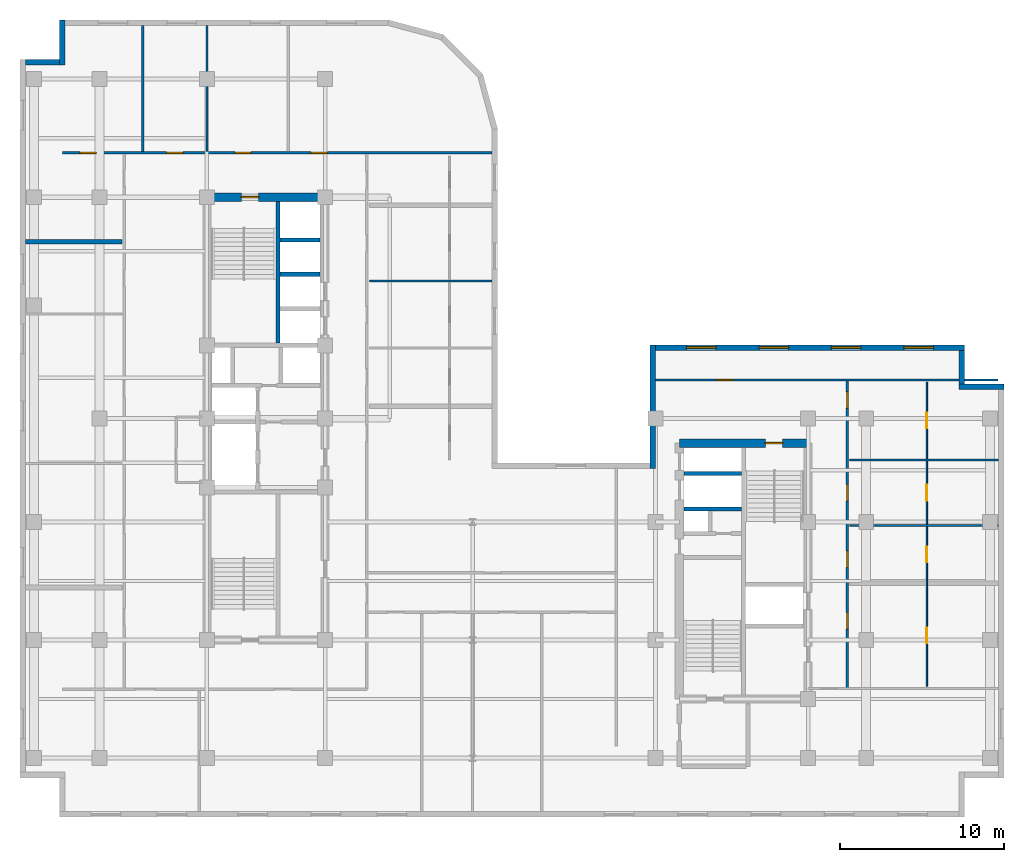
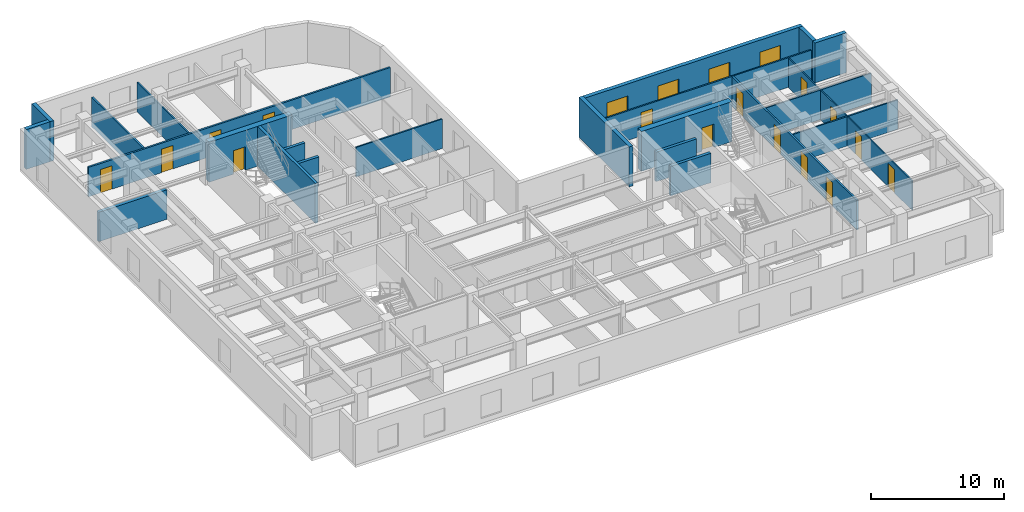
# One storey, part 7 of 11: 23 walls, 15 doors, 4 windows, 19 openings.
"""IFC4 building model written with IfcOpenShell, lengths in metres."""

import ifcopenshell
import ifcopenshell.guid

model = None  # the IFC model being written
_history = None  # IfcOwnerHistory: only IFC2X3 demands one
_inside = {}  # id of a spatial element -> (the spatial element, [elements in it])
_under = {}  # id of a project, library or spatial element -> (it, [spatial elements below it])
_declared = {}  # id of a project -> (the project, [libraries it declares])
_typed = {}  # id of a type object -> (the type object, [elements of that type])
_made_of = {}  # id of a material, layer set ... -> (it, [elements and type objects made of it])


def new_model(schema):
    """Start an empty IFC model of exactly this schema.

    Asked for "IFC4X3", IfcOpenShell would pick the latest addendum, in which some entities
    have other attributes; the version numbers below select the first issue.
    IFC2X3 requires an IfcOwnerHistory on every rooted entity: one is made here for all.
    """
    global model, _history
    if schema == "IFC4X3":
        model = ifcopenshell.file(schema_version=(4, 3, 0, 0))
    else:
        model = ifcopenshell.file(schema=schema)
    _inside.clear()
    _under.clear()
    _declared.clear()
    _typed.clear()
    _made_of.clear()
    _history = None
    if model.schema == "IFC2X3":
        org = make("IfcOrganization", Name="unknown")
        user = make(
            "IfcPersonAndOrganization",
            ThePerson=make("IfcPerson", FamilyName="unknown"),
            TheOrganization=org,
        )
        app = make(
            "IfcApplication",
            ApplicationDeveloper=org,
            Version="unknown",
            ApplicationFullName="unknown",
            ApplicationIdentifier="unknown",
        )
        _history = make(
            "IfcOwnerHistory",
            OwningUser=user,
            OwningApplication=app,
            ChangeAction="ADDED",
            CreationDate=0,
        )
    return model


def make(cls, **values):
    """One entity of the class cls with the attributes given. An attribute that is None is left unset."""
    return model.create_entity(
        cls, **{name: value for name, value in values.items() if value is not None}
    )


def entity(cls, *values):
    """Any entity or typed value of the class cls, its attributes in the order of the schema. None: left unset."""
    e = model.create_entity(cls)
    for i, value in enumerate(values):
        if value is not None:
            e[i] = value
    return e


def rooted(cls, **values):
    """An entity with a GlobalId (a new one), such as an element, a storey or a relation."""
    return make(cls, GlobalId=ifcopenshell.guid.new(), OwnerHistory=_history, **values)


def si_unit(unit_type, name, prefix=None):
    """IfcSIUnit, for example si_unit("LENGTHUNIT", "METRE", prefix="MILLI")."""
    return make("IfcSIUnit", UnitType=unit_type, Prefix=prefix, Name=name)


def converted_unit(unit_type, name, factor, base, dimensions=None, offset=None):
    """IfcConversionBasedUnit, such as the inch: factor (a typed value) times the base unit."""
    return make(
        "IfcConversionBasedUnit"
        if offset is None
        else "IfcConversionBasedUnitWithOffset",
        ConversionOffset=offset,
        Dimensions=None
        if dimensions is None
        else entity("IfcDimensionalExponents", *dimensions),
        UnitType=unit_type,
        Name=name,
        ConversionFactor=make(
            "IfcMeasureWithUnit", ValueComponent=factor, UnitComponent=base
        ),
    )


def assignment(units):
    """IfcUnitAssignment: the units of a project."""
    return None if units is None else make("IfcUnitAssignment", Units=units)


def point(xyz):
    """IfcCartesianPoint."""
    return None if xyz is None else make("IfcCartesianPoint", Coordinates=xyz)


def direction(xyz):
    """IfcDirection."""
    return None if xyz is None else make("IfcDirection", DirectionRatios=xyz)


def frame(location, z_axis=None, x_axis=None):
    """IfcAxis2Placement3D, a coordinate frame: its origin and axes. An axis left out is left unset."""
    return make(
        "IfcAxis2Placement3D",
        Location=point(location),
        Axis=direction(z_axis),
        RefDirection=direction(x_axis),
    )


def frame_2d(location, x_axis=None):
    """IfcAxis2Placement2D, a coordinate frame in the plane: its origin and x axis."""
    return make(
        "IfcAxis2Placement2D", Location=point(location), RefDirection=direction(x_axis)
    )


def origin_with_axes():
    """The frame at (0, 0, 0) with the z axis (0, 0, 1) and the x axis (1, 0, 0) written out."""
    return frame((0.0, 0.0, 0.0), z_axis=(0.0, 0.0, 1.0), x_axis=(1.0, 0.0, 0.0))


def origin_2d_with_axis():
    """The frame at (0, 0) in the plane with the x axis (1, 0) written out."""
    return frame_2d((0.0, 0.0), x_axis=(1.0, 0.0))


def place(relative_to, where):
    """IfcLocalPlacement: puts the frame where relative to a parent placement (None: the world)."""
    return make(
        "IfcLocalPlacement", PlacementRelTo=relative_to, RelativePlacement=where
    )


def context(
    kind, dimensions, precision=None, world=None, true_north=None, identifier=None
):
    """IfcGeometricRepresentationContext, for example the 3D "Model" context."""
    return make(
        "IfcGeometricRepresentationContext",
        ContextIdentifier=identifier,
        ContextType=kind,
        CoordinateSpaceDimension=dimensions,
        Precision=precision,
        WorldCoordinateSystem=world,
        TrueNorth=true_north,
    )


def subcontext(parent, identifier, kind, view, scale=None):
    """IfcGeometricRepresentationSubContext, for example "Body" below "Model"."""
    return make(
        "IfcGeometricRepresentationSubContext",
        ContextIdentifier=identifier,
        ContextType=kind,
        ParentContext=parent,
        TargetScale=scale,
        TargetView=view,
    )


def project(units=None, contexts=None):
    """IfcProject with its units and contexts."""
    return rooted(
        "IfcProject",
        Name="project",
        RepresentationContexts=contexts,
        UnitsInContext=assignment(units),
    )


def spatial(cls, under=None, at=None, **own):
    """A site, building, storey or space (cls), placed at a placement, below another one or the project."""
    s = rooted(cls, ObjectPlacement=at, **own)
    if under is not None:
        _under.setdefault(under.id(), (under, []))[1].append(s)
    return s


def polyline(points):
    """IfcPolyline through the points."""
    return make("IfcPolyline", Points=[point(p) for p in points])


def profile(cls, at=None, kind="AREA", **sizes):
    """A parametric profile (cls). Its sizes go by their IFC names, for example OverallWidth=200.0."""
    return make(cls, ProfileType=kind, Position=at, **sizes)


def rectangle(**sizes):
    """IfcRectangleProfileDef."""
    return profile("IfcRectangleProfileDef", **sizes)


def outline(outer, holes=None, kind="AREA"):
    """IfcArbitraryClosedProfileDef: a profile drawn as a closed curve; with holes, ...WithVoids."""
    if holes is None:
        return make("IfcArbitraryClosedProfileDef", ProfileType=kind, OuterCurve=outer)
    return make(
        "IfcArbitraryProfileDefWithVoids",
        ProfileType=kind,
        OuterCurve=outer,
        InnerCurves=holes,
    )


def extrude(swept, where, along, depth):
    """IfcExtrudedAreaSolid: the profile swept, set in the frame where, extruded along a direction by depth."""
    return make(
        "IfcExtrudedAreaSolid",
        SweptArea=swept,
        Position=where,
        ExtrudedDirection=direction(along),
        Depth=depth,
    )


def shape(context_of_items, identifier, shape_type, items):
    """IfcShapeRepresentation: the items that make up one representation, for example the "Body"."""
    return make(
        "IfcShapeRepresentation",
        ContextOfItems=context_of_items,
        RepresentationIdentifier=identifier,
        RepresentationType=shape_type,
        Items=items,
    )


def material(Name=None, Category=None):
    """IfcMaterial."""
    return make("IfcMaterial", Name=Name, Category=Category)


def layer(
    of_material, thickness, ventilated=None, Name=None, Category=None, Priority=None
):
    """IfcMaterialLayer: one layer of a wall or slab, of a material (None: an air gap)."""
    return make(
        "IfcMaterialLayer",
        Material=of_material,
        LayerThickness=thickness,
        IsVentilated=ventilated,
        Name=Name,
        Category=Category,
        Priority=Priority,
    )


def layer_set(layers, Name=None):
    """IfcMaterialLayerSet."""
    return make("IfcMaterialLayerSet", MaterialLayers=layers, LayerSetName=Name)


def made_of(thing, what):
    """Note that an element or type object is made of a material, layer set ...; save() writes the relation."""
    if what is not None:
        _made_of.setdefault(what.id(), (what, []))[1].append(thing)
    return thing


def type_object(cls, material=None, **own):
    """A type object (cls), such as IfcWallType, which elements share."""
    return made_of(rooted(cls, **own), material)


def element(
    cls,
    number,
    at=None,
    inside=None,
    cuts=None,
    type_object=None,
    material=None,
    context=None,
    identifier="Body",
    shape_type=None,
    held_by="IfcProductDefinitionShape",
    body=None,
    shapes=None,
    **own,
):
    """One element of the class cls, such as IfcWall. Its Tag is "e" and its number.

    at: its placement. inside: the storey or other place that contains it. cuts: it is an
    opening in that element (IfcRelVoidsElement). A single representation is given by context,
    identifier, shape_type and body (its items); several are given by shapes. held_by: the class
    of the entity that holds the representations. save() writes the other relations.
    """
    e = rooted(cls, Tag="e%d" % number, ObjectPlacement=at, **own)
    if body is not None:
        shapes = [shape(context, identifier, shape_type, body)]
    if shapes is not None:
        e.Representation = make(held_by, Representations=shapes)
    if inside is not None:
        _inside.setdefault(inside.id(), (inside, []))[1].append(e)
    if cuts is not None:
        rooted(
            "IfcRelVoidsElement", RelatingBuildingElement=cuts, RelatedOpeningElement=e
        )
    if type_object is not None:
        _typed.setdefault(type_object.id(), (type_object, []))[1].append(e)
    return made_of(e, material)


def fill(opening, filler):
    """IfcRelFillsElement: the door or window that sits in an opening."""
    return rooted(
        "IfcRelFillsElement",
        RelatingOpeningElement=opening,
        RelatedBuildingElement=filler,
    )


def aggregate(whole, parts):
    """IfcRelAggregates: a whole, such as a stair, and the parts it consists of."""
    return rooted("IfcRelAggregates", RelatingObject=whole, RelatedObjects=parts)


def save(model, path):
    """Write the relations noted so far, then the file.

    IfcRelAggregates (storeys below a building ...), IfcRelContainedInSpatialStructure (elements
    in a storey), IfcRelDefinesByType, IfcRelAssociatesMaterial and IfcRelDeclares: one each for
    every whole, place, type object, material and project.
    """
    for whole, parts in _under.values():
        aggregate(whole, parts)
    for where, things in _inside.values():
        rooted(
            "IfcRelContainedInSpatialStructure",
            RelatedElements=things,
            RelatingStructure=where,
        )
    for kind, things in _typed.values():
        rooted("IfcRelDefinesByType", RelatedObjects=things, RelatingType=kind)
    for what, things in _made_of.values():
        rooted("IfcRelAssociatesMaterial", RelatedObjects=things, RelatingMaterial=what)
    for by, libraries in _declared.values():
        rooted("IfcRelDeclares", RelatingContext=by, RelatedDefinitions=libraries)
    model.write(path)


model = new_model("IFC4")

# Units and contexts
model_context = context("Model", 3, precision=1e-05, world=origin_with_axes(), true_north=direction((0.0, 1.0)))
body_context = subcontext(model_context, "Body", "Model", "MODEL_VIEW")
ifc_project = project(units=[si_unit("LENGTHUNIT", "METRE"), si_unit("AREAUNIT", "SQUARE_METRE"), si_unit("VOLUMEUNIT", "CUBIC_METRE"), converted_unit("PLANEANGLEUNIT", "DEGREE", entity("IfcPlaneAngleMeasure", 0.017453292519943295), si_unit("PLANEANGLEUNIT", "RADIAN"), dimensions=[0, 0, 0, 0, 0, 0, 0]), si_unit("MASSUNIT", "GRAM", prefix="KILO"), si_unit("THERMODYNAMICTEMPERATUREUNIT", "KELVIN")], contexts=[model_context])

# Site, building, storey
site_placement = place(None, origin_with_axes())
site = spatial("IfcSite", under=ifc_project, at=site_placement, CompositionType="ELEMENT")
building_placement = place(site_placement, origin_with_axes())
building = spatial("IfcBuilding", under=site, at=building_placement, Name="Varnlund Millrace Tower", CompositionType="ELEMENT")
storey_placement = place(building_placement, frame((0.0, 0.0, 200.4), z_axis=(0.0, 0.0, 1.0), x_axis=(1.0, 0.0, 0.0)))
storey = spatial("IfcBuildingStorey", under=building, at=storey_placement, Name="L49", CompositionType="ELEMENT", Elevation=200.4)

# Wall, opening, door
ifc_material_1 = material(Name="Concrete C70/85", Category="concrete")
ifc_layer_1 = layer(ifc_material_1, 0.5, Name="Concrete C70/85")
ifc_layer_set_1 = layer_set([ifc_layer_1], Name="Concrete C70/85")
wall_type_1 = type_object("IfcWallType", Name="Type-CoreWall-Shear-500-C70", PredefinedType="SHEAR", material=ifc_layer_set_1)
wall_1_placement = place(storey_placement, frame((11.4, 37.8, 0.0), z_axis=(0.0, 0.0, 1.0), x_axis=(1.0, 0.0, 0.0)))
wall_1 = element("IfcWall", 1, at=wall_1_placement, inside=storey, type_object=wall_type_1, Name="Type-CoreWall-Shear-500-C70", PredefinedType="SHEAR", context=body_context, shape_type="SweptSolid", body=[
    extrude(outline(polyline([(0.0, -0.25), (7.2, -0.25), (7.2, 0.25), (0.0, 0.25), (0.0, -0.25)])), origin_with_axes(), (0.0, 0.0, 1.0), 3.66),
])
opening_1_placement = place(wall_1_placement, frame((2.625, 0.0, 0.0), z_axis=(0.0, 0.0, 1.0), x_axis=(1.0, 0.0, 0.0)))
opening_1 = element("IfcOpeningElement", 2, at=opening_1_placement, cuts=wall_1, Name="Opening L49:DR-STA2", PredefinedType="OPENING", context=body_context, shape_type="SweptSolid", body=[
    extrude(rectangle(XDim=1.05, YDim=0.52, at=origin_2d_with_axis()), origin_with_axes(), (0.0, 0.0, 1.0), 2.15),
])
ifc_material_2 = material(Name="Fire-rated hollow steel door", Category="steel")
door_type_1 = type_object("IfcDoorType", Name="Type-FireDoor-Stair-1050X2150", OperationType="NOTDEFINED", PredefinedType="DOOR", material=ifc_material_2)
door_1_placement = place(wall_1_placement, frame((2.625, 0.0, 0.0), z_axis=(0.0, 0.0, 1.0), x_axis=(1.0, 0.0, 0.0)))
door_1 = element("IfcDoor", 3, at=door_1_placement, inside=storey, type_object=door_type_1, Name="Type-FireDoor-Stair-1050X2150", OperationType="SINGLE_SWING_RIGHT", OverallHeight=2.15, OverallWidth=1.05, PredefinedType="DOOR", context=body_context, shape_type="SweptSolid", body=[
    extrude(rectangle(XDim=1.05, YDim=0.09, at=origin_2d_with_axis()), origin_with_axes(), (0.0, 0.0, 1.0), 2.15),
])
fill(opening_1, door_1)

wall_2_placement = place(storey_placement, frame((40.2, 22.8, 0.0), z_axis=(0.0, 0.0, 1.0), x_axis=(1.0, 0.0, 0.0)))
wall_2 = element("IfcWall", 4, at=wall_2_placement, inside=storey, type_object=wall_type_1, Name="Type-CoreWall-Shear-500-C70", PredefinedType="SHEAR", context=body_context, shape_type="SweptSolid", body=[
    extrude(outline(polyline([(0.0, -0.25), (7.85, -0.25), (7.85, 0.25), (0.0, 0.25), (0.0, -0.25)])), origin_with_axes(), (0.0, 0.0, 1.0), 3.66),
])
opening_2_placement = place(wall_2_placement, frame((5.775, 0.0, 0.0), z_axis=(0.0, 0.0, 1.0), x_axis=(1.0, 0.0, 0.0)))
opening_2 = element("IfcOpeningElement", 5, at=opening_2_placement, cuts=wall_2, Name="Opening L49:DR-STB2", PredefinedType="OPENING", context=body_context, shape_type="SweptSolid", body=[
    extrude(rectangle(XDim=1.05, YDim=0.52, at=origin_2d_with_axis()), origin_with_axes(), (0.0, 0.0, 1.0), 2.15),
])
door_2_placement = place(wall_2_placement, frame((5.775, 0.0, 0.0), z_axis=(0.0, 0.0, 1.0), x_axis=(1.0, 0.0, 0.0)))
door_2 = element("IfcDoor", 6, at=door_2_placement, inside=storey, type_object=door_type_1, Name="Type-FireDoor-Stair-1050X2150", OperationType="SINGLE_SWING_RIGHT", OverallHeight=2.15, OverallWidth=1.05, PredefinedType="DOOR", context=body_context, shape_type="SweptSolid", body=[
    extrude(rectangle(XDim=1.05, YDim=0.09, at=origin_2d_with_axis()), origin_with_axes(), (0.0, 0.0, 1.0), 2.15),
])
fill(opening_2, door_2)

# Wall
ifc_material_3 = material(Name="Precast concrete C50/60", Category="concrete")
ifc_layer_2 = layer(ifc_material_3, 0.34, Name="Precast concrete C50/60")
ifc_layer_set_2 = layer_set([ifc_layer_2], Name="Precast concrete C50/60")
wall_type_2 = type_object("IfcWallType", Name="Type-ExtWall-Precast-Upper-340", PredefinedType="SOLIDWALL", material=ifc_layer_set_2)
wall_3_placement = place(storey_placement, frame((38.57, 21.26, 0.0), z_axis=(0.0, 0.0, 1.0), x_axis=(0.0, 1.0, 0.0)))
element("IfcWall", 7, at=wall_3_placement, inside=storey, type_object=wall_type_2, Name="Type-ExtWall-Precast-Upper-340", PredefinedType="SOLIDWALL", context=body_context, shape_type="SweptSolid", body=[
    extrude(outline(polyline([(0.0, -0.17), (7.54, -0.17), (7.54, 0.17), (0.0, 0.17), (0.0, -0.17)])), origin_with_axes(), (0.0, 0.0, 1.0), 3.66),
])

# Wall, openings, windows
wall_4_placement = place(storey_placement, frame((38.74, 28.63, 0.0), z_axis=(0.0, 0.0, 1.0), x_axis=(1.0, 0.0, 0.0)))
wall_4 = element("IfcWall", 8, at=wall_4_placement, inside=storey, type_object=wall_type_2, Name="Type-ExtWall-Precast-Upper-340", PredefinedType="SOLIDWALL", context=body_context, shape_type="SweptSolid", body=[
    extrude(outline(polyline([(0.0, -0.17), (18.86, -0.17), (18.86, 0.17), (0.0, 0.17), (0.0, -0.17)])), origin_with_axes(), (0.0, 0.0, 1.0), 3.66),
])
opening_3_placement = place(wall_4_placement, frame((2.808, 0.0, 0.45), z_axis=(0.0, 0.0, 1.0), x_axis=(1.0, 0.0, 0.0)))
opening_3 = element("IfcOpeningElement", 9, at=opening_3_placement, cuts=wall_4, Name="Opening L49:WN-01", PredefinedType="OPENING", context=body_context, shape_type="SweptSolid", body=[
    extrude(rectangle(XDim=1.8, YDim=0.36, at=origin_2d_with_axis()), origin_with_axes(), (0.0, 0.0, 1.0), 2.1),
])
opening_4_placement = place(wall_4_placement, frame((7.222, 0.0, 0.45), z_axis=(0.0, 0.0, 1.0), x_axis=(1.0, 0.0, 0.0)))
opening_4 = element("IfcOpeningElement", 10, at=opening_4_placement, cuts=wall_4, Name="Opening L49:WN-02", PredefinedType="OPENING", context=body_context, shape_type="SweptSolid", body=[
    extrude(rectangle(XDim=1.8, YDim=0.36, at=origin_2d_with_axis()), origin_with_axes(), (0.0, 0.0, 1.0), 2.1),
])
opening_5_placement = place(wall_4_placement, frame((11.637, 0.0, 0.45), z_axis=(0.0, 0.0, 1.0), x_axis=(1.0, 0.0, 0.0)))
opening_5 = element("IfcOpeningElement", 11, at=opening_5_placement, cuts=wall_4, Name="Opening L49:WN-03", PredefinedType="OPENING", context=body_context, shape_type="SweptSolid", body=[
    extrude(rectangle(XDim=1.8, YDim=0.36, at=origin_2d_with_axis()), origin_with_axes(), (0.0, 0.0, 1.0), 2.1),
])
opening_6_placement = place(wall_4_placement, frame((16.053, 0.0, 0.45), z_axis=(0.0, 0.0, 1.0), x_axis=(1.0, 0.0, 0.0)))
opening_6 = element("IfcOpeningElement", 12, at=opening_6_placement, cuts=wall_4, Name="Opening L49:WN-04", PredefinedType="OPENING", context=body_context, shape_type="SweptSolid", body=[
    extrude(rectangle(XDim=1.8, YDim=0.36, at=origin_2d_with_axis()), origin_with_axes(), (0.0, 0.0, 1.0), 2.1),
])
ifc_material_4 = material(Name="Argon low-e triple glazing in thermally broken bronze frame", Category="glass")
window_type = type_object("IfcWindowType", Name="Type-Window-Punched-1800X2100", PartitioningType="SINGLE_PANEL", PredefinedType="WINDOW", material=ifc_material_4)
window_1_placement = place(wall_4_placement, frame((2.808, 0.0, 0.45), z_axis=(0.0, 0.0, 1.0), x_axis=(1.0, 0.0, 0.0)))
window_1 = element("IfcWindow", 13, at=window_1_placement, inside=storey, type_object=window_type, Name="Type-Window-Punched-1800X2100", OverallHeight=2.1, OverallWidth=1.8, PredefinedType="WINDOW", context=body_context, shape_type="SweptSolid", body=[
    extrude(rectangle(XDim=1.8, YDim=0.09, at=origin_2d_with_axis()), origin_with_axes(), (0.0, 0.0, 1.0), 2.1),
])
fill(opening_3, window_1)
window_2_placement = place(wall_4_placement, frame((7.222, 0.0, 0.45), z_axis=(0.0, 0.0, 1.0), x_axis=(1.0, 0.0, 0.0)))
window_2 = element("IfcWindow", 14, at=window_2_placement, inside=storey, type_object=window_type, Name="Type-Window-Punched-1800X2100", OverallHeight=2.1, OverallWidth=1.8, PredefinedType="WINDOW", context=body_context, shape_type="SweptSolid", body=[
    extrude(rectangle(XDim=1.8, YDim=0.09, at=origin_2d_with_axis()), origin_with_axes(), (0.0, 0.0, 1.0), 2.1),
])
fill(opening_4, window_2)
window_3_placement = place(wall_4_placement, frame((11.637, 0.0, 0.45), z_axis=(0.0, 0.0, 1.0), x_axis=(1.0, 0.0, 0.0)))
window_3 = element("IfcWindow", 15, at=window_3_placement, inside=storey, type_object=window_type, Name="Type-Window-Punched-1800X2100", OverallHeight=2.1, OverallWidth=1.8, PredefinedType="WINDOW", context=body_context, shape_type="SweptSolid", body=[
    extrude(rectangle(XDim=1.8, YDim=0.09, at=origin_2d_with_axis()), origin_with_axes(), (0.0, 0.0, 1.0), 2.1),
])
fill(opening_5, window_3)
window_4_placement = place(wall_4_placement, frame((16.053, 0.0, 0.45), z_axis=(0.0, 0.0, 1.0), x_axis=(1.0, 0.0, 0.0)))
window_4 = element("IfcWindow", 16, at=window_4_placement, inside=storey, type_object=window_type, Name="Type-Window-Punched-1800X2100", OverallHeight=2.1, OverallWidth=1.8, PredefinedType="WINDOW", context=body_context, shape_type="SweptSolid", body=[
    extrude(rectangle(XDim=1.8, YDim=0.09, at=origin_2d_with_axis()), origin_with_axes(), (0.0, 0.0, 1.0), 2.1),
])
fill(opening_6, window_4)

# Walls
wall_5_placement = place(storey_placement, frame((57.43, 28.46, 0.0), z_axis=(0.0, 0.0, 1.0), x_axis=(0.0, -1.0, 0.0)))
element("IfcWall", 17, at=wall_5_placement, inside=storey, type_object=wall_type_2, Name="Type-ExtWall-Precast-Upper-340", PredefinedType="SOLIDWALL", context=body_context, shape_type="SweptSolid", body=[
    extrude(outline(polyline([(0.0, -0.17), (2.06, -0.17), (2.06, 0.17), (0.0, 0.17), (0.0, -0.17)])), origin_with_axes(), (0.0, 0.0, 1.0), 3.66),
])
wall_6_placement = place(storey_placement, frame((57.26, 26.23, 0.0), z_axis=(0.0, 0.0, 1.0), x_axis=(1.0, 0.0, 0.0)))
element("IfcWall", 18, at=wall_6_placement, inside=storey, type_object=wall_type_2, Name="Type-ExtWall-Precast-Upper-340", PredefinedType="SOLIDWALL", context=body_context, shape_type="SweptSolid", body=[
    extrude(outline(polyline([(0.0, -0.17), (2.74, -0.17), (2.74, 0.17), (0.0, 0.17), (0.0, -0.17)])), origin_with_axes(), (0.0, 0.0, 1.0), 3.66),
])
wall_7_placement = place(storey_placement, frame((0.34, 46.03, 0.0), z_axis=(0.0, 0.0, 1.0), x_axis=(1.0, 0.0, 0.0)))
element("IfcWall", 19, at=wall_7_placement, inside=storey, type_object=wall_type_2, Name="Type-ExtWall-Precast-Upper-340", PredefinedType="SOLIDWALL", context=body_context, shape_type="SweptSolid", body=[
    extrude(outline(polyline([(0.0, -0.17), (2.06, -0.17), (2.06, 0.17), (0.0, 0.17), (0.0, -0.17)])), origin_with_axes(), (0.0, 0.0, 1.0), 3.66),
])
wall_8_placement = place(storey_placement, frame((2.57, 45.86, 0.0), z_axis=(0.0, 0.0, 1.0), x_axis=(0.0, 1.0, 0.0)))
element("IfcWall", 20, at=wall_8_placement, inside=storey, type_object=wall_type_2, Name="Type-ExtWall-Precast-Upper-340", PredefinedType="SOLIDWALL", context=body_context, shape_type="SweptSolid", body=[
    extrude(outline(polyline([(0.0, -0.17), (2.74, -0.17), (2.74, 0.17), (0.0, 0.17), (0.0, -0.17)])), origin_with_axes(), (0.0, 0.0, 1.0), 3.66),
])
ifc_material_5 = material(Name="Double-stud STC-60 conference acoustic partition", Category="gypsum")
ifc_layer_3 = layer(ifc_material_5, 0.28, Name="Double-stud STC-60 conference acoustic partition")
ifc_layer_set_3 = layer_set([ifc_layer_3], Name="Double-stud STC-60 conference acoustic partition")
wall_type_3 = type_object("IfcWallType", Name="Type-Partition-Acoustic-280", PredefinedType="PARTITIONING", material=ifc_layer_set_3)
wall_9_placement = place(storey_placement, frame((0.335, 35.084, 0.0), z_axis=(0.0, 0.0, 1.0), x_axis=(1.0, 0.0, 0.0)))
element("IfcWall", 21, at=wall_9_placement, inside=storey, type_object=wall_type_3, Name="Type-Partition-Acoustic-280", PredefinedType="PARTITIONING", context=body_context, shape_type="SweptSolid", body=[
    extrude(outline(polyline([(0.0, -0.14), (5.895, -0.14), (5.895, 0.14), (0.0, 0.14), (0.0, -0.14)])), origin_with_axes(), (0.0, 0.0, 1.0), 2.7),
])

# Wall, openings, doors
ifc_material_6 = material(Name="Fire-rated gypsum board on cold-formed steel framing", Category="steel")
ifc_layer_4 = layer(ifc_material_6, 0.16, Name="Fire-rated gypsum board on cold-formed steel framing")
ifc_layer_set_4 = layer_set([ifc_layer_4], Name="Fire-rated gypsum board on cold-formed steel framing")
wall_type_4 = type_object("IfcWallType", Name="Type-Partition-Corridor-160", PredefinedType="PARTITIONING", material=ifc_layer_set_4)
wall_10_placement = place(storey_placement, frame((2.6, 40.5, 0.0), z_axis=(0.0, 0.0, 1.0), x_axis=(1.0, 0.0, 0.0)))
wall_10 = element("IfcWall", 22, at=wall_10_placement, inside=storey, type_object=wall_type_4, Name="Type-Partition-Corridor-160", PredefinedType="PARTITIONING", context=body_context, shape_type="SweptSolid", body=[
    extrude(outline(polyline([(0.0, -0.08), (26.177, -0.08), (26.177, 0.08), (0.0, 0.08), (0.0, -0.08)])), origin_with_axes(), (0.0, 0.0, 1.0), 2.7),
])
opening_7_placement = place(wall_10_placement, frame((1.554, 0.0, 0.0), z_axis=(0.0, 0.0, 1.0), x_axis=(1.0, 0.0, 0.0)))
opening_7 = element("IfcOpeningElement", 23, at=opening_7_placement, cuts=wall_10, Name="Opening L49:DR-WAN-01", PredefinedType="OPENING", context=body_context, shape_type="SweptSolid", body=[
    extrude(rectangle(XDim=1.0, YDim=0.18, at=origin_2d_with_axis()), origin_with_axes(), (0.0, 0.0, 1.0), 2.15),
])
opening_8_placement = place(wall_10_placement, frame((6.8395, 0.0, 0.0), z_axis=(0.0, 0.0, 1.0), x_axis=(1.0, 0.0, 0.0)))
opening_8 = element("IfcOpeningElement", 24, at=opening_8_placement, cuts=wall_10, Name="Opening L49:DR-WAN-02", PredefinedType="OPENING", context=body_context, shape_type="SweptSolid", body=[
    extrude(rectangle(XDim=1.0, YDim=0.18, at=origin_2d_with_axis()), origin_with_axes(), (0.0, 0.0, 1.0), 2.15),
])
opening_9_placement = place(wall_10_placement, frame((10.996, 0.0, 0.0), z_axis=(0.0, 0.0, 1.0), x_axis=(1.0, 0.0, 0.0)))
opening_9 = element("IfcOpeningElement", 25, at=opening_9_placement, cuts=wall_10, Name="Opening L49:DR-WAN-03", PredefinedType="OPENING", context=body_context, shape_type="SweptSolid", body=[
    extrude(rectangle(XDim=1.0, YDim=0.18, at=origin_2d_with_axis()), origin_with_axes(), (0.0, 0.0, 1.0), 2.15),
])
opening_10_placement = place(wall_10_placement, frame((15.636, 0.0, 0.0), z_axis=(0.0, 0.0, 1.0), x_axis=(1.0, 0.0, 0.0)))
opening_10 = element("IfcOpeningElement", 26, at=opening_10_placement, cuts=wall_10, Name="Opening L49:DR-WAN-04", PredefinedType="OPENING", context=body_context, shape_type="SweptSolid", body=[
    extrude(rectangle(XDim=1.0, YDim=0.18, at=origin_2d_with_axis()), origin_with_axes(), (0.0, 0.0, 1.0), 2.15),
])
ifc_material_7 = material(Name="Solid-core white oak and bronze frame door")
door_type_2 = type_object("IfcDoorType", Name="Type-IntDoor-Office-1000X2150", OperationType="NOTDEFINED", PredefinedType="DOOR", material=ifc_material_7)
door_3_placement = place(wall_10_placement, frame((1.554, 0.0, 0.0), z_axis=(0.0, 0.0, 1.0), x_axis=(1.0, 0.0, 0.0)))
door_3 = element("IfcDoor", 27, at=door_3_placement, inside=storey, type_object=door_type_2, Name="Type-IntDoor-Office-1000X2150", OperationType="SINGLE_SWING_LEFT", OverallHeight=2.15, OverallWidth=1.0, PredefinedType="DOOR", context=body_context, shape_type="SweptSolid", body=[
    extrude(rectangle(XDim=1.0, YDim=0.09, at=origin_2d_with_axis()), origin_with_axes(), (0.0, 0.0, 1.0), 2.15),
])
fill(opening_7, door_3)
door_4_placement = place(wall_10_placement, frame((6.8395, 0.0, 0.0), z_axis=(0.0, 0.0, 1.0), x_axis=(1.0, 0.0, 0.0)))
door_4 = element("IfcDoor", 28, at=door_4_placement, inside=storey, type_object=door_type_2, Name="Type-IntDoor-Office-1000X2150", OperationType="SINGLE_SWING_RIGHT", OverallHeight=2.15, OverallWidth=1.0, PredefinedType="DOOR", context=body_context, shape_type="SweptSolid", body=[
    extrude(rectangle(XDim=1.0, YDim=0.09, at=origin_2d_with_axis()), origin_with_axes(), (0.0, 0.0, 1.0), 2.15),
])
fill(opening_8, door_4)
door_5_placement = place(wall_10_placement, frame((10.996, 0.0, 0.0), z_axis=(0.0, 0.0, 1.0), x_axis=(1.0, 0.0, 0.0)))
door_5 = element("IfcDoor", 29, at=door_5_placement, inside=storey, type_object=door_type_2, Name="Type-IntDoor-Office-1000X2150", OperationType="SINGLE_SWING_LEFT", OverallHeight=2.15, OverallWidth=1.0, PredefinedType="DOOR", context=body_context, shape_type="SweptSolid", body=[
    extrude(rectangle(XDim=1.0, YDim=0.09, at=origin_2d_with_axis()), origin_with_axes(), (0.0, 0.0, 1.0), 2.15),
])
fill(opening_9, door_5)
door_6_placement = place(wall_10_placement, frame((15.636, 0.0, 0.0), z_axis=(0.0, 0.0, 1.0), x_axis=(1.0, 0.0, 0.0)))
door_6 = element("IfcDoor", 30, at=door_6_placement, inside=storey, type_object=door_type_2, Name="Type-IntDoor-Office-1000X2150", OperationType="SINGLE_SWING_RIGHT", OverallHeight=2.15, OverallWidth=1.0, PredefinedType="DOOR", context=body_context, shape_type="SweptSolid", body=[
    extrude(rectangle(XDim=1.0, YDim=0.09, at=origin_2d_with_axis()), origin_with_axes(), (0.0, 0.0, 1.0), 2.15),
])
fill(opening_10, door_6)

wall_11_placement = place(storey_placement, frame((50.45, 7.85, 0.0), z_axis=(0.0, 0.0, 1.0), x_axis=(0.0, 1.0, 0.0)))
wall_11 = element("IfcWall", 31, at=wall_11_placement, inside=storey, type_object=wall_type_4, Name="Type-Partition-Corridor-160", PredefinedType="PARTITIONING", context=body_context, shape_type="SweptSolid", body=[
    extrude(outline(polyline([(0.0, -0.08), (18.8, -0.08), (18.8, 0.08), (0.0, 0.08), (0.0, -0.08)])), origin_with_axes(), (0.0, 0.0, 1.0), 2.7),
])
opening_11_placement = place(wall_11_placement, frame((4.113, 0.0, 0.0), z_axis=(0.0, 0.0, 1.0), x_axis=(1.0, 0.0, 0.0)))
opening_11 = element("IfcOpeningElement", 32, at=opening_11_placement, cuts=wall_11, Name="Opening L49:DR-WB-01", PredefinedType="OPENING", context=body_context, shape_type="SweptSolid", body=[
    extrude(rectangle(XDim=1.0, YDim=0.18, at=origin_2d_with_axis()), origin_with_axes(), (0.0, 0.0, 1.0), 2.15),
])
opening_12_placement = place(wall_11_placement, frame((7.883, 0.0, 0.0), z_axis=(0.0, 0.0, 1.0), x_axis=(1.0, 0.0, 0.0)))
opening_12 = element("IfcOpeningElement", 33, at=opening_12_placement, cuts=wall_11, Name="Opening L49:DR-WB-02", PredefinedType="OPENING", context=body_context, shape_type="SweptSolid", body=[
    extrude(rectangle(XDim=1.0, YDim=0.18, at=origin_2d_with_axis()), origin_with_axes(), (0.0, 0.0, 1.0), 2.15),
])
opening_13_placement = place(wall_11_placement, frame((11.9275, 0.0, 0.0), z_axis=(0.0, 0.0, 1.0), x_axis=(1.0, 0.0, 0.0)))
opening_13 = element("IfcOpeningElement", 34, at=opening_13_placement, cuts=wall_11, Name="Opening L49:DR-WB-03", PredefinedType="OPENING", context=body_context, shape_type="SweptSolid", body=[
    extrude(rectangle(XDim=1.0, YDim=0.18, at=origin_2d_with_axis()), origin_with_axes(), (0.0, 0.0, 1.0), 2.15),
])
opening_14_placement = place(wall_11_placement, frame((17.587, 0.0, 0.0), z_axis=(0.0, 0.0, 1.0), x_axis=(1.0, 0.0, 0.0)))
opening_14 = element("IfcOpeningElement", 35, at=opening_14_placement, cuts=wall_11, Name="Opening L49:DR-WB-04", PredefinedType="OPENING", context=body_context, shape_type="SweptSolid", body=[
    extrude(rectangle(XDim=1.0, YDim=0.18, at=origin_2d_with_axis()), origin_with_axes(), (0.0, 0.0, 1.0), 2.15),
])
door_7_placement = place(wall_11_placement, frame((4.113, 0.0, 0.0), z_axis=(0.0, 0.0, 1.0), x_axis=(1.0, 0.0, 0.0)))
door_7 = element("IfcDoor", 36, at=door_7_placement, inside=storey, type_object=door_type_2, Name="Type-IntDoor-Office-1000X2150", OperationType="SINGLE_SWING_LEFT", OverallHeight=2.15, OverallWidth=1.0, PredefinedType="DOOR", context=body_context, shape_type="SweptSolid", body=[
    extrude(rectangle(XDim=1.0, YDim=0.09, at=origin_2d_with_axis()), origin_with_axes(), (0.0, 0.0, 1.0), 2.15),
])
fill(opening_11, door_7)
door_8_placement = place(wall_11_placement, frame((7.883, 0.0, 0.0), z_axis=(0.0, 0.0, 1.0), x_axis=(1.0, 0.0, 0.0)))
door_8 = element("IfcDoor", 37, at=door_8_placement, inside=storey, type_object=door_type_2, Name="Type-IntDoor-Office-1000X2150", OperationType="SINGLE_SWING_RIGHT", OverallHeight=2.15, OverallWidth=1.0, PredefinedType="DOOR", context=body_context, shape_type="SweptSolid", body=[
    extrude(rectangle(XDim=1.0, YDim=0.09, at=origin_2d_with_axis()), origin_with_axes(), (0.0, 0.0, 1.0), 2.15),
])
fill(opening_12, door_8)
door_9_placement = place(wall_11_placement, frame((11.9275, 0.0, 0.0), z_axis=(0.0, 0.0, 1.0), x_axis=(1.0, 0.0, 0.0)))
door_9 = element("IfcDoor", 38, at=door_9_placement, inside=storey, type_object=door_type_2, Name="Type-IntDoor-Office-1000X2150", OperationType="SINGLE_SWING_LEFT", OverallHeight=2.15, OverallWidth=1.0, PredefinedType="DOOR", context=body_context, shape_type="SweptSolid", body=[
    extrude(rectangle(XDim=1.0, YDim=0.09, at=origin_2d_with_axis()), origin_with_axes(), (0.0, 0.0, 1.0), 2.15),
])
fill(opening_13, door_9)
door_10_placement = place(wall_11_placement, frame((17.587, 0.0, 0.0), z_axis=(0.0, 0.0, 1.0), x_axis=(1.0, 0.0, 0.0)))
door_10 = element("IfcDoor", 39, at=door_10_placement, inside=storey, type_object=door_type_2, Name="Type-IntDoor-Office-1000X2150", OperationType="SINGLE_SWING_RIGHT", OverallHeight=2.15, OverallWidth=1.0, PredefinedType="DOOR", context=body_context, shape_type="SweptSolid", body=[
    extrude(rectangle(XDim=1.0, YDim=0.09, at=origin_2d_with_axis()), origin_with_axes(), (0.0, 0.0, 1.0), 2.15),
])
fill(opening_14, door_10)

# Wall
ifc_material_8 = material(Name="Acoustic STC-50 gypsum board partition", Category="gypsum")
ifc_layer_5 = layer(ifc_material_8, 0.15, Name="Acoustic STC-50 gypsum board partition")
ifc_layer_set_5 = layer_set([ifc_layer_5], Name="Acoustic STC-50 gypsum board partition")
wall_type_5 = type_object("IfcWallType", Name="Type-Partition-Demising-150", PredefinedType="PARTITIONING", material=ifc_layer_set_5)
wall_12_placement = place(storey_placement, frame((7.479, 40.6, 0.0), z_axis=(0.0, 0.0, 1.0), x_axis=(0.0, 1.0, 0.0)))
element("IfcWall", 40, at=wall_12_placement, inside=storey, type_object=wall_type_5, Name="Type-Partition-Demising-150", PredefinedType="PARTITIONING", context=body_context, shape_type="SweptSolid", body=[
    extrude(outline(polyline([(0.0, -0.075), (7.665, -0.075), (7.665, 0.075), (0.0, 0.075), (0.0, -0.075)])), origin_with_axes(), (0.0, 0.0, 1.0), 2.7),
])

# Wall, openings, doors
ifc_material_9 = material(Name="Architectural bronze and acoustic glass office front", Category="glass")
ifc_layer_6 = layer(ifc_material_9, 0.1, Name="Architectural bronze and acoustic glass office front")
ifc_layer_set_6 = layer_set([ifc_layer_6], Name="Architectural bronze and acoustic glass office front")
wall_type_6 = type_object("IfcWallType", Name="Type-Partition-Glazed-100", PredefinedType="PARTITIONING", material=ifc_layer_set_6)
wall_13_placement = place(storey_placement, frame((55.3, 7.98, 0.0), z_axis=(0.0, 0.0, 1.0), x_axis=(0.0, 1.0, 0.0)))
wall_13 = element("IfcWall", 41, at=wall_13_placement, inside=storey, type_object=wall_type_6, Name="Type-Partition-Glazed-100", PredefinedType="PARTITIONING", context=body_context, shape_type="SweptSolid", body=[
    extrude(outline(polyline([(0.0, -0.05), (18.54, -0.05), (18.54, 0.05), (0.0, 0.05), (0.0, -0.05)])), origin_with_axes(), (0.0, 0.0, 1.0), 2.7),
])
opening_15_placement = place(wall_13_placement, frame((3.1025, 0.0, 0.0), z_axis=(0.0, 0.0, 1.0), x_axis=(1.0, 0.0, 0.0)))
opening_15 = element("IfcOpeningElement", 42, at=opening_15_placement, cuts=wall_13, Name="Opening L49:DR-WB-S01", PredefinedType="OPENING", context=body_context, shape_type="SweptSolid", body=[
    extrude(rectangle(XDim=0.95, YDim=0.12, at=origin_2d_with_axis()), origin_with_axes(), (0.0, 0.0, 1.0), 2.15),
])
opening_16_placement = place(wall_13_placement, frame((8.0325, 0.0, 0.0), z_axis=(0.0, 0.0, 1.0), x_axis=(1.0, 0.0, 0.0)))
opening_16 = element("IfcOpeningElement", 43, at=opening_16_placement, cuts=wall_13, Name="Opening L49:DR-WB-S02", PredefinedType="OPENING", context=body_context, shape_type="SweptSolid", body=[
    extrude(rectangle(XDim=0.95, YDim=0.12, at=origin_2d_with_axis()), origin_with_axes(), (0.0, 0.0, 1.0), 2.15),
])
opening_17_placement = place(wall_13_placement, frame((11.7975, 0.0, 0.0), z_axis=(0.0, 0.0, 1.0), x_axis=(1.0, 0.0, 0.0)))
opening_17 = element("IfcOpeningElement", 44, at=opening_17_placement, cuts=wall_13, Name="Opening L49:DR-WB-S03", PredefinedType="OPENING", context=body_context, shape_type="SweptSolid", body=[
    extrude(rectangle(XDim=0.95, YDim=0.12, at=origin_2d_with_axis()), origin_with_axes(), (0.0, 0.0, 1.0), 2.15),
])
opening_18_placement = place(wall_13_placement, frame((16.2075, 0.0, 0.0), z_axis=(0.0, 0.0, 1.0), x_axis=(1.0, 0.0, 0.0)))
opening_18 = element("IfcOpeningElement", 45, at=opening_18_placement, cuts=wall_13, Name="Opening L49:DR-WB-S04", PredefinedType="OPENING", context=body_context, shape_type="SweptSolid", body=[
    extrude(rectangle(XDim=0.95, YDim=0.12, at=origin_2d_with_axis()), origin_with_axes(), (0.0, 0.0, 1.0), 2.15),
])
ifc_material_10 = material(Name="Solid-core acoustic office door")
door_type_3 = type_object("IfcDoorType", Name="Type-IntDoor-Tenant-950X2150", OperationType="NOTDEFINED", PredefinedType="DOOR", material=ifc_material_10)
door_11_placement = place(wall_13_placement, frame((3.1025, 0.0, 0.0), z_axis=(0.0, 0.0, 1.0), x_axis=(1.0, 0.0, 0.0)))
door_11 = element("IfcDoor", 46, at=door_11_placement, inside=storey, type_object=door_type_3, Name="Type-IntDoor-Tenant-950X2150", OperationType="SINGLE_SWING_LEFT", OverallHeight=2.15, OverallWidth=0.95, PredefinedType="DOOR", context=body_context, shape_type="SweptSolid", body=[
    extrude(rectangle(XDim=0.95, YDim=0.06, at=origin_2d_with_axis()), origin_with_axes(), (0.0, 0.0, 1.0), 2.15),
])
fill(opening_15, door_11)
door_12_placement = place(wall_13_placement, frame((8.0325, 0.0, 0.0), z_axis=(0.0, 0.0, 1.0), x_axis=(1.0, 0.0, 0.0)))
door_12 = element("IfcDoor", 47, at=door_12_placement, inside=storey, type_object=door_type_3, Name="Type-IntDoor-Tenant-950X2150", OperationType="SINGLE_SWING_LEFT", OverallHeight=2.15, OverallWidth=0.95, PredefinedType="DOOR", context=body_context, shape_type="SweptSolid", body=[
    extrude(rectangle(XDim=0.95, YDim=0.06, at=origin_2d_with_axis()), origin_with_axes(), (0.0, 0.0, 1.0), 2.15),
])
fill(opening_16, door_12)
door_13_placement = place(wall_13_placement, frame((11.7975, 0.0, 0.0), z_axis=(0.0, 0.0, 1.0), x_axis=(1.0, 0.0, 0.0)))
door_13 = element("IfcDoor", 48, at=door_13_placement, inside=storey, type_object=door_type_3, Name="Type-IntDoor-Tenant-950X2150", OperationType="SINGLE_SWING_LEFT", OverallHeight=2.15, OverallWidth=0.95, PredefinedType="DOOR", context=body_context, shape_type="SweptSolid", body=[
    extrude(rectangle(XDim=0.95, YDim=0.06, at=origin_2d_with_axis()), origin_with_axes(), (0.0, 0.0, 1.0), 2.15),
])
fill(opening_17, door_13)
door_14_placement = place(wall_13_placement, frame((16.2075, 0.0, 0.0), z_axis=(0.0, 0.0, 1.0), x_axis=(1.0, 0.0, 0.0)))
door_14 = element("IfcDoor", 49, at=door_14_placement, inside=storey, type_object=door_type_3, Name="Type-IntDoor-Tenant-950X2150", OperationType="SINGLE_SWING_LEFT", OverallHeight=2.15, OverallWidth=0.95, PredefinedType="DOOR", context=body_context, shape_type="SweptSolid", body=[
    extrude(rectangle(XDim=0.95, YDim=0.06, at=origin_2d_with_axis()), origin_with_axes(), (0.0, 0.0, 1.0), 2.15),
])
fill(opening_18, door_14)

# Walls
ifc_material_11 = material(Name="Gypsum board tenant partition", Category="gypsum")
ifc_layer_7 = layer(ifc_material_11, 0.125, Name="Gypsum board tenant partition")
ifc_layer_set_7 = layer_set([ifc_layer_7], Name="Gypsum board tenant partition")
wall_type_7 = type_object("IfcWallType", Name="Type-Partition-Tenant-125", PredefinedType="PARTITIONING", material=ifc_layer_set_7)
wall_14_placement = place(storey_placement, frame((11.4, 40.6, 0.0), z_axis=(0.0, 0.0, 1.0), x_axis=(0.0, 1.0, 0.0)))
element("IfcWall", 50, at=wall_14_placement, inside=storey, type_object=wall_type_7, Name="Type-Partition-Tenant-125", PredefinedType="PARTITIONING", context=body_context, shape_type="SweptSolid", body=[
    extrude(outline(polyline([(0.0, -0.0625), (7.665, -0.0625), (7.665, 0.0625), (0.0, 0.0625), (0.0, -0.0625)])), origin_with_axes(), (0.0, 0.0, 1.0), 2.7),
])
wall_15_placement = place(storey_placement, frame((21.3, 32.695, 0.0), z_axis=(0.0, 0.0, 1.0), x_axis=(1.0, 0.0, 0.0)))
element("IfcWall", 51, at=wall_15_placement, inside=storey, type_object=wall_type_7, Name="Type-Partition-Tenant-125", PredefinedType="PARTITIONING", context=body_context, shape_type="SweptSolid", body=[
    extrude(outline(polyline([(0.0, -0.0625), (7.477, -0.0625), (7.477, 0.0625), (0.0, 0.0625), (0.0, -0.0625)])), origin_with_axes(), (0.0, 0.0, 1.0), 2.7),
])

# Wall, opening, door
wall_16_placement = place(storey_placement, frame((38.735, 26.65, 0.0), z_axis=(0.0, 0.0, 1.0), x_axis=(1.0, 0.0, 0.0)))
wall_16 = element("IfcWall", 52, at=wall_16_placement, inside=storey, type_object=wall_type_7, Name="Type-Partition-Tenant-125", PredefinedType="PARTITIONING", context=body_context, shape_type="SweptSolid", body=[
    extrude(outline(polyline([(0.0, -0.0625), (20.905, -0.0625), (20.905, 0.0625), (0.0, 0.0625), (0.0, -0.0625)])), origin_with_axes(), (0.0, 0.0, 1.0), 2.7),
])
opening_19_placement = place(wall_16_placement, frame((4.265, 0.0, 0.0), z_axis=(0.0, 0.0, 1.0), x_axis=(1.0, 0.0, 0.0)))
opening_19 = element("IfcOpeningElement", 53, at=opening_19_placement, cuts=wall_16, Name="Opening L49:DR-WBN-01", PredefinedType="OPENING", context=body_context, shape_type="SweptSolid", body=[
    extrude(rectangle(XDim=1.0, YDim=0.145, at=origin_2d_with_axis()), origin_with_axes(), (0.0, 0.0, 1.0), 2.15),
])
door_15_placement = place(wall_16_placement, frame((4.265, 0.0, 0.0), z_axis=(0.0, 0.0, 1.0), x_axis=(1.0, 0.0, 0.0)))
door_15 = element("IfcDoor", 54, at=door_15_placement, inside=storey, type_object=door_type_2, Name="Type-IntDoor-Office-1000X2150", OperationType="SINGLE_SWING_RIGHT", OverallHeight=2.15, OverallWidth=1.0, PredefinedType="DOOR", context=body_context, shape_type="SweptSolid", body=[
    extrude(rectangle(XDim=1.0, YDim=0.075, at=origin_2d_with_axis()), origin_with_axes(), (0.0, 0.0, 1.0), 2.15),
])
fill(opening_19, door_15)

# Walls
for number, where, z_axis, x_axis, name in (
    (55, (50.57, 17.77, 0.0), (0.0, 0.0, 1.0), (1.0, 0.0, 0.0), "Type-Partition-Tenant-125"),
    (56, (50.57, 21.785, 0.0), (0.0, 0.0, 1.0), (1.0, 0.0, 0.0), "Type-Partition-Tenant-125"),
):
    element("IfcWall", number, at=place(storey_placement, frame(where, z_axis=z_axis, x_axis=x_axis)), inside=storey, type_object=wall_type_7, Name=name, PredefinedType="PARTITIONING", context=body_context, shape_type="SweptSolid", body=[
        extrude(outline(polyline([(0.0, -0.0625), (9.095, -0.0625), (9.095, 0.0625), (0.0, 0.0625), (0.0, -0.0625)])), origin_with_axes(), (0.0, 0.0, 1.0), 2.7),
    ])
ifc_material_12 = material(Name="Concrete C60/75", Category="concrete")
ifc_layer_8 = layer(ifc_material_12, 0.25, Name="Concrete C60/75")
ifc_layer_set_8 = layer_set([ifc_layer_8], Name="Concrete C60/75")
wall_type_8 = type_object("IfcWallType", Name="Type-ShaftWall-Fire-250", PredefinedType="SOLIDWALL", material=ifc_layer_set_8)
wall_17_placement = place(storey_placement, frame((40.5, 18.8, 0.0), z_axis=(0.0, 0.0, 1.0), x_axis=(1.0, 0.0, 0.0)))
element("IfcWall", 57, at=wall_17_placement, inside=storey, type_object=wall_type_8, Name="Type-ShaftWall-Fire-250", PredefinedType="SOLIDWALL", context=body_context, shape_type="SweptSolid", body=[
    extrude(outline(polyline([(0.0, -0.125), (3.5, -0.125), (3.5, 0.125), (0.0, 0.125), (0.0, -0.125)])), origin_with_axes(), (0.0, 0.0, 1.0), 2.7),
])
for number, where, z_axis, x_axis, name in (
    (58, (15.84, 33.1, 0.0), (0.0, 0.0, 1.0), (1.0, 0.0, 0.0), "Type-ShaftWall-Fire-250"),
    (59, (15.84, 35.2, 0.0), (0.0, 0.0, 1.0), (1.0, 0.0, 0.0), "Type-ShaftWall-Fire-250"),
):
    element("IfcWall", number, at=place(storey_placement, frame(where, z_axis=z_axis, x_axis=x_axis)), inside=storey, type_object=wall_type_8, Name=name, PredefinedType="SOLIDWALL", context=body_context, shape_type="SweptSolid", body=[
        extrude(outline(polyline([(0.0, -0.125), (2.46, -0.125), (2.46, 0.125), (0.0, 0.125), (0.0, -0.125)])), origin_with_axes(), (0.0, 0.0, 1.0), 2.7),
    ])
wall_18_placement = place(storey_placement, frame((40.5, 20.96, 0.0), z_axis=(0.0, 0.0, 1.0), x_axis=(1.0, 0.0, 0.0)))
element("IfcWall", 60, at=wall_18_placement, inside=storey, type_object=wall_type_8, Name="Type-ShaftWall-Fire-250", PredefinedType="SOLIDWALL", context=body_context, shape_type="SweptSolid", body=[
    extrude(outline(polyline([(0.0, -0.125), (3.5, -0.125), (3.5, 0.125), (0.0, 0.125), (0.0, -0.125)])), origin_with_axes(), (0.0, 0.0, 1.0), 2.7),
])
wall_type_9 = type_object("IfcWallType", Name="Type-StairWall-Shear-250", PredefinedType="SHEAR", material=ifc_layer_set_8)
wall_19_placement = place(storey_placement, frame((15.725, 28.9, 0.0), z_axis=(0.0, 0.0, 1.0), x_axis=(0.0, 1.0, 0.0)))
element("IfcWall", 61, at=wall_19_placement, inside=storey, type_object=wall_type_9, Name="Type-StairWall-Shear-250", PredefinedType="SHEAR", context=body_context, shape_type="SweptSolid", body=[
    extrude(outline(polyline([(0.0, -0.125), (8.65, -0.125), (8.65, 0.125), (0.0, 0.125), (0.0, -0.125)])), origin_with_axes(), (0.0, 0.0, 1.0), 3.66),
])

save(model, "model.ifc")
